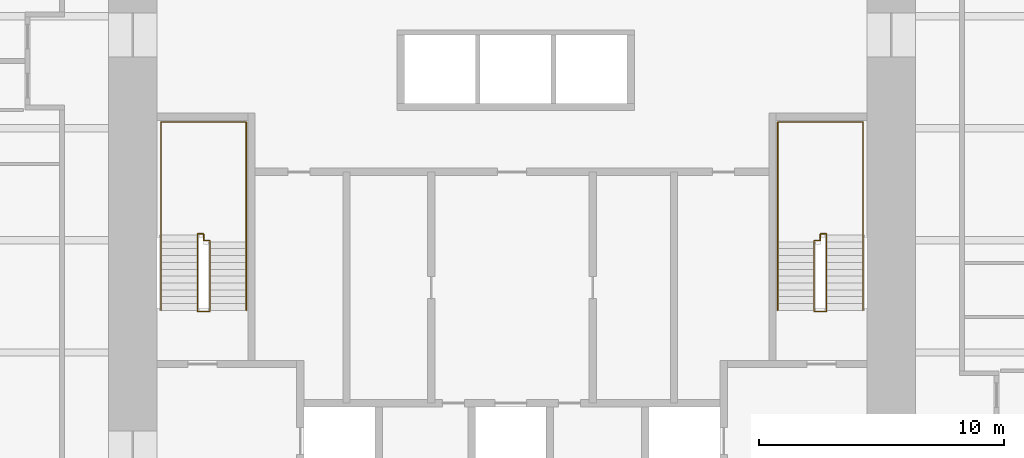
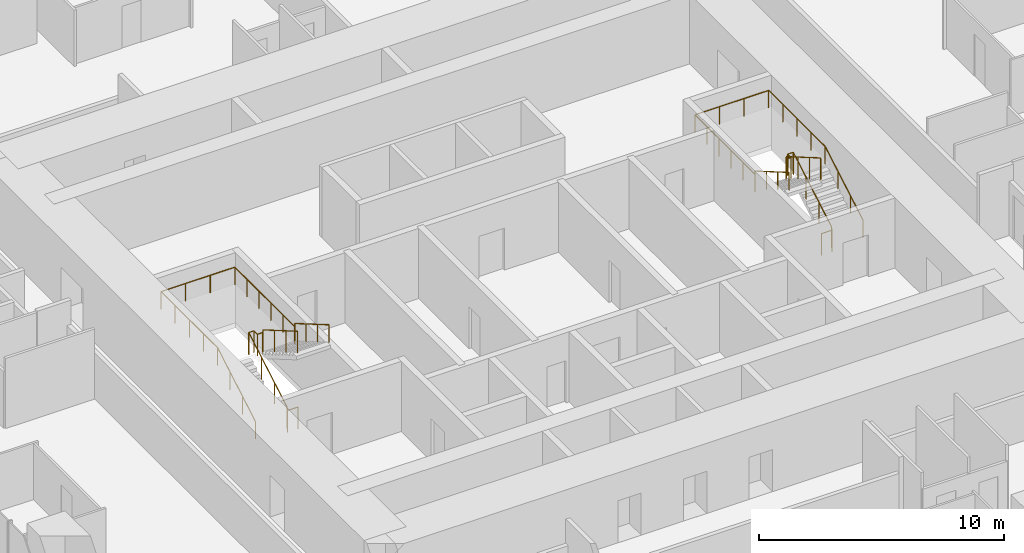
# One storey, part 12 of 12: 4 railings.
"""IFC4 building model written with IfcOpenShell, lengths in metres."""

from ifc_helpers import new_model, si_unit, direction, frame, origin, origin_2d, place, context, subcontext, project, spatial, circle, extrude, material, type_object, element, save


model = new_model("IFC4")

# Units and contexts
model_context = context("Model", 3, precision=1e-05, world=origin(), true_north=direction((0.0, 1.0)))
body_context = subcontext(model_context, "Body", "Model", "MODEL_VIEW")
ifc_project = project(units=[si_unit("LENGTHUNIT", "METRE"), si_unit("AREAUNIT", "SQUARE_METRE"), si_unit("VOLUMEUNIT", "CUBIC_METRE"), si_unit("PLANEANGLEUNIT", "RADIAN"), si_unit("MASSUNIT", "GRAM", prefix="KILO")], contexts=[model_context])

# Site, building, storey
site_placement = place(None, origin())
site = spatial("IfcSite", under=ifc_project, at=site_placement, CompositionType="ELEMENT")
building_placement = place(site_placement, origin())
building = spatial("IfcBuilding", under=site, at=building_placement, Name="Khuree Lantern Residences", CompositionType="ELEMENT")
storey_placement = place(building_placement, frame((0.0, 0.0, 167.25)))
storey = spatial("IfcBuildingStorey", under=building, at=storey_placement, Name="L42", CompositionType="ELEMENT", Elevation=167.25)

# Railings
ifc_material = material(Name="Steel S355", Category="steel")
railing_type_1 = type_object("IfcRailingType", Name="STAIR GUARD G1 1100", PredefinedType="GUARDRAIL", material=ifc_material)
railing_1_placement = place(storey_placement, frame((-12.35009765625, -2.909912109375, 0.0)))
element("IfcRailing", 1, at=railing_1_placement, inside=storey, type_object=railing_type_1, Name="Stair ST1 guard", PredefinedType="GUARDRAIL", context=body_context, shape_type="SweptSolid", body=[
    extrude(circle(Radius=0.02392578125, at=origin_2d()), frame((0.0, 0.0, 1.076171875), z_axis=(-1.0, 0.0, 0.0), x_axis=(0.0, -1.0, 0.0)), (0.0, 0.0, 1.0), 0.5),
    extrude(circle(Radius=0.02392578125, at=origin_2d()), frame((-0.5, 0.0, 1.076171875), z_axis=(0.0, 0.292073035251, 0.95639601739), x_axis=(-1.0, 0.0, 0.0)), (0.0, 0.0, 1.0), 0.17041015625),
    extrude(circle(Radius=0.02392578125, at=origin_2d()), frame((-0.5, 0.0498046875, 1.2392578125), z_axis=(0.0, 0.864176135923, 0.503189433615), x_axis=(-1.0, 0.0, 0.0)), (0.0, 0.0, 1.0), 3.564208984375),
    extrude(circle(Radius=0.02392578125, at=origin_2d()), frame((-0.5, 3.1298828125, 3.03271484375), z_axis=(0.0, 1.0, 0.0), x_axis=(-1.0, 0.0, 0.0)), (0.0, 0.0, 1.0), 0.050048828125),
    extrude(circle(Radius=0.02392578125, at=origin_2d()), frame((-0.5, 3.179931640625, 3.03271484375), z_axis=(1.0, 0.0, 0.0), x_axis=(0.0, 1.0, 0.0)), (0.0, 0.0, 1.0), 0.25),
    extrude(circle(Radius=0.02392578125, at=origin_2d()), frame((-0.25, 3.179931640625, 3.03271484375), z_axis=(0.0, -1.0, 0.0), x_axis=(1.0, 0.0, 0.0)), (0.0, 0.0, 1.0), 0.280029296875),
    extrude(circle(Radius=0.02392578125, at=origin_2d()), frame((-0.25, 2.89990234375, 3.03271484375), z_axis=(1.0, 0.0, 0.0), x_axis=(0.0, 1.0, 0.0)), (0.0, 0.0, 1.0), 0.25),
    extrude(circle(Radius=0.02392578125, at=origin_2d()), frame((0.0, 2.89990234375, 3.03271484375), z_axis=(0.0, -0.293381807449, 0.955995353053), x_axis=(1.0, 0.0, 0.0)), (0.0, 0.0, 1.0), 0.170654296875),
    extrude(circle(Radius=0.02392578125, at=origin_2d()), frame((0.0, 2.849853515625, 3.19580078125), z_axis=(0.0, -0.864180358799, 0.503182181189), x_axis=(1.0, 0.0, 0.0)), (0.0, 0.0, 1.0), 3.240234375),
    extrude(circle(Radius=0.02099609375, at=origin_2d()), origin(), (0.0, 0.0, 1.0), 1.052001953125),
    extrude(circle(Radius=0.02099609375, at=origin_2d()), frame((-0.5, 0.0, 0.0)), (0.0, 0.0, 1.0), 1.052001953125),
    extrude(circle(Radius=0.02099609375, at=origin_2d()), frame((-0.5, 0.0498046875, 0.1630859375)), (0.0, 0.0, 1.0), 1.052001953125),
    extrude(circle(Radius=0.02099609375, at=origin_2d()), frame((-0.5, 1.076416015625, 0.760986328125)), (0.0, 0.0, 1.0), 1.052001953125),
    extrude(circle(Radius=0.02099609375, at=origin_2d()), frame((-0.5, 2.103271484375, 1.358642578125)), (0.0, 0.0, 1.0), 1.052001953125),
    extrude(circle(Radius=0.02099609375, at=origin_2d()), frame((-0.5, 3.1298828125, 1.95654296875)), (0.0, 0.0, 1.0), 1.052001953125),
    extrude(circle(Radius=0.02099609375, at=origin_2d()), frame((-0.5, 3.179931640625, 1.95654296875)), (0.0, 0.0, 1.0), 1.052001953125),
    extrude(circle(Radius=0.02099609375, at=origin_2d()), frame((-0.25, 3.179931640625, 1.95654296875)), (0.0, 0.0, 1.0), 1.052001953125),
    extrude(circle(Radius=0.02099609375, at=origin_2d()), frame((-0.25, 2.89990234375, 1.95654296875)), (0.0, 0.0, 1.0), 1.052001953125),
    extrude(circle(Radius=0.02099609375, at=origin_2d()), frame((0.0, 2.89990234375, 1.95654296875)), (0.0, 0.0, 1.0), 1.052001953125),
    extrude(circle(Radius=0.02099609375, at=origin_2d()), frame((0.0, 2.849853515625, 2.11962890625)), (0.0, 0.0, 1.0), 1.052001953125),
    extrude(circle(Radius=0.02099609375, at=origin_2d()), frame((0.0, 1.91650390625, 2.6630859375)), (0.0, 0.0, 1.0), 1.052001953125),
    extrude(circle(Radius=0.02099609375, at=origin_2d()), frame((0.0, 0.983154296875, 3.20654296875)), (0.0, 0.0, 1.0), 1.052001953125),
    extrude(circle(Radius=0.02099609375, at=origin_2d()), frame((0.0, 0.0498046875, 3.75)), (0.0, 0.0, 1.0), 1.052001953125),
])
railing_2_placement = place(storey_placement, frame((12.35009765625, -2.909912109375, 0.0)))
element("IfcRailing", 2, at=railing_2_placement, inside=storey, type_object=railing_type_1, Name="Stair ST2 guard", PredefinedType="GUARDRAIL", context=body_context, shape_type="SweptSolid", body=[
    extrude(circle(Radius=0.02392578125, at=origin_2d()), frame((0.0, 0.0, 1.076171875), z_axis=(1.0, 0.0, 0.0), x_axis=(0.0, 1.0, 0.0)), (0.0, 0.0, 1.0), 0.5),
    extrude(circle(Radius=0.02392578125, at=origin_2d()), frame((0.5, 0.0, 1.076171875), z_axis=(0.0, 0.292073035251, 0.95639601739), x_axis=(-1.0, 0.0, 0.0)), (0.0, 0.0, 1.0), 0.17041015625),
    extrude(circle(Radius=0.02392578125, at=origin_2d()), frame((0.5, 0.0498046875, 1.2392578125), z_axis=(0.0, 0.864176135923, 0.503189433615), x_axis=(-1.0, 0.0, 0.0)), (0.0, 0.0, 1.0), 3.564208984375),
    extrude(circle(Radius=0.02392578125, at=origin_2d()), frame((0.5, 3.1298828125, 3.03271484375), z_axis=(0.0, 1.0, 0.0), x_axis=(-1.0, 0.0, 0.0)), (0.0, 0.0, 1.0), 0.050048828125),
    extrude(circle(Radius=0.02392578125, at=origin_2d()), frame((0.5, 3.179931640625, 3.03271484375), z_axis=(-1.0, 0.0, 0.0), x_axis=(0.0, -1.0, 0.0)), (0.0, 0.0, 1.0), 0.25),
    extrude(circle(Radius=0.02392578125, at=origin_2d()), frame((0.25, 3.179931640625, 3.03271484375), z_axis=(0.0, -1.0, 0.0), x_axis=(1.0, 0.0, 0.0)), (0.0, 0.0, 1.0), 0.280029296875),
    extrude(circle(Radius=0.02392578125, at=origin_2d()), frame((0.25, 2.89990234375, 3.03271484375), z_axis=(-1.0, 0.0, 0.0), x_axis=(0.0, -1.0, 0.0)), (0.0, 0.0, 1.0), 0.25),
    extrude(circle(Radius=0.02392578125, at=origin_2d()), frame((0.0, 2.89990234375, 3.03271484375), z_axis=(0.0, -0.293381807449, 0.955995353053), x_axis=(1.0, 0.0, 0.0)), (0.0, 0.0, 1.0), 0.170654296875),
    extrude(circle(Radius=0.02392578125, at=origin_2d()), frame((0.0, 2.849853515625, 3.19580078125), z_axis=(0.0, -0.864180358799, 0.503182181189), x_axis=(1.0, 0.0, 0.0)), (0.0, 0.0, 1.0), 3.240234375),
    extrude(circle(Radius=0.02099609375, at=origin_2d()), origin(), (0.0, 0.0, 1.0), 1.052001953125),
    extrude(circle(Radius=0.02099609375, at=origin_2d()), frame((0.5, 0.0, 0.0)), (0.0, 0.0, 1.0), 1.052001953125),
    extrude(circle(Radius=0.02099609375, at=origin_2d()), frame((0.5, 0.0498046875, 0.1630859375)), (0.0, 0.0, 1.0), 1.052001953125),
    extrude(circle(Radius=0.02099609375, at=origin_2d()), frame((0.5, 1.076416015625, 0.760986328125)), (0.0, 0.0, 1.0), 1.052001953125),
    extrude(circle(Radius=0.02099609375, at=origin_2d()), frame((0.5, 2.103271484375, 1.358642578125)), (0.0, 0.0, 1.0), 1.052001953125),
    extrude(circle(Radius=0.02099609375, at=origin_2d()), frame((0.5, 3.1298828125, 1.95654296875)), (0.0, 0.0, 1.0), 1.052001953125),
    extrude(circle(Radius=0.02099609375, at=origin_2d()), frame((0.5, 3.179931640625, 1.95654296875)), (0.0, 0.0, 1.0), 1.052001953125),
    extrude(circle(Radius=0.02099609375, at=origin_2d()), frame((0.25, 3.179931640625, 1.95654296875)), (0.0, 0.0, 1.0), 1.052001953125),
    extrude(circle(Radius=0.02099609375, at=origin_2d()), frame((0.25, 2.89990234375, 1.95654296875)), (0.0, 0.0, 1.0), 1.052001953125),
    extrude(circle(Radius=0.02099609375, at=origin_2d()), frame((0.0, 2.89990234375, 1.95654296875)), (0.0, 0.0, 1.0), 1.052001953125),
    extrude(circle(Radius=0.02099609375, at=origin_2d()), frame((0.0, 2.849853515625, 2.11962890625)), (0.0, 0.0, 1.0), 1.052001953125),
    extrude(circle(Radius=0.02099609375, at=origin_2d()), frame((0.0, 1.91650390625, 2.6630859375)), (0.0, 0.0, 1.0), 1.052001953125),
    extrude(circle(Radius=0.02099609375, at=origin_2d()), frame((0.0, 0.983154296875, 3.20654296875)), (0.0, 0.0, 1.0), 1.052001953125),
    extrude(circle(Radius=0.02099609375, at=origin_2d()), frame((0.0, 0.0498046875, 3.75)), (0.0, 0.0, 1.0), 1.052001953125),
])
railing_type_2 = type_object("IfcRailingType", Name="STAIR HANDRAIL H1 900", PredefinedType="HANDRAIL", material=ifc_material)
railing_3_placement = place(storey_placement, frame((-14.340087890625, -2.860107421875, 0.1630859375)))
element("IfcRailing", 3, at=railing_3_placement, inside=storey, type_object=railing_type_2, Name="Stair ST1 handrail", PredefinedType="HANDRAIL", context=body_context, shape_type="SweptSolid", body=[
    extrude(circle(Radius=0.02392578125, at=origin_2d()), frame((0.0, 0.0, 0.8759765625), z_axis=(0.0, 0.864176135923, 0.503189433615), x_axis=(-1.0, 0.0, 0.0)), (0.0, 0.0, 1.0), 3.564208984375),
    extrude(circle(Radius=0.02392578125, at=origin_2d()), frame((0.0, 3.080078125, 2.66943359375), z_axis=(0.0, 1.0, 0.0), x_axis=(-1.0, 0.0, 0.0)), (0.0, 0.0, 1.0), 4.6201171875),
    extrude(circle(Radius=0.02392578125, at=origin_2d()), frame((0.0, 7.7001953125, 2.66943359375), z_axis=(1.0, 0.0, 0.0), x_axis=(0.0, 1.0, 0.0)), (0.0, 0.0, 1.0), 3.47998046875),
    extrude(circle(Radius=0.02392578125, at=origin_2d()), frame((3.47998046875, 7.7001953125, 2.66943359375), z_axis=(0.0, -1.0, 0.0), x_axis=(1.0, 0.0, 0.0)), (0.0, 0.0, 1.0), 4.900146484375),
    extrude(circle(Radius=0.02392578125, at=origin_2d()), frame((3.47998046875, 2.800048828125, 2.66943359375), z_axis=(0.0, 0.0, 1.0), x_axis=(1.0, 0.0, 0.0)), (0.0, 0.0, 1.0), 0.1630859375),
    extrude(circle(Radius=0.02392578125, at=origin_2d()), frame((3.47998046875, 2.800048828125, 2.83251953125), z_axis=(0.0, -0.864180358799, 0.503182181189), x_axis=(1.0, 0.0, 0.0)), (0.0, 0.0, 1.0), 3.240234375),
    extrude(circle(Radius=0.02099609375, at=origin_2d()), origin(), (0.0, 0.0, 1.0), 0.851806640625),
    extrude(circle(Radius=0.02099609375, at=origin_2d()), frame((0.0, 1.026611328125, 0.597900390625)), (0.0, 0.0, 1.0), 0.851806640625),
    extrude(circle(Radius=0.02099609375, at=origin_2d()), frame((0.0, 2.053466796875, 1.195556640625)), (0.0, 0.0, 1.0), 0.851806640625),
    extrude(circle(Radius=0.02099609375, at=origin_2d()), frame((0.0, 3.080078125, 1.79345703125)), (0.0, 0.0, 1.0), 0.851806640625),
    extrude(circle(Radius=0.02099609375, at=origin_2d()), frame((0.0, 4.235107421875, 1.79345703125)), (0.0, 0.0, 1.0), 0.851806640625),
    extrude(circle(Radius=0.02099609375, at=origin_2d()), frame((0.0, 5.39013671875, 1.79345703125)), (0.0, 0.0, 1.0), 0.851806640625),
    extrude(circle(Radius=0.02099609375, at=origin_2d()), frame((0.0, 6.545166015625, 1.79345703125)), (0.0, 0.0, 1.0), 0.851806640625),
    extrude(circle(Radius=0.02099609375, at=origin_2d()), frame((0.0, 7.7001953125, 1.79345703125)), (0.0, 0.0, 1.0), 0.851806640625),
    extrude(circle(Radius=0.02099609375, at=origin_2d()), frame((1.159912109375, 7.7001953125, 1.79345703125)), (0.0, 0.0, 1.0), 0.851806640625),
    extrude(circle(Radius=0.02099609375, at=origin_2d()), frame((2.320068359375, 7.7001953125, 1.79345703125)), (0.0, 0.0, 1.0), 0.851806640625),
    extrude(circle(Radius=0.02099609375, at=origin_2d()), frame((3.47998046875, 7.7001953125, 1.79345703125)), (0.0, 0.0, 1.0), 0.851806640625),
    extrude(circle(Radius=0.02099609375, at=origin_2d()), frame((3.47998046875, 6.72021484375, 1.79345703125)), (0.0, 0.0, 1.0), 0.851806640625),
    extrude(circle(Radius=0.02099609375, at=origin_2d()), frame((3.47998046875, 5.740234375, 1.79345703125)), (0.0, 0.0, 1.0), 0.851806640625),
    extrude(circle(Radius=0.02099609375, at=origin_2d()), frame((3.47998046875, 4.760009765625, 1.79345703125)), (0.0, 0.0, 1.0), 0.851806640625),
    extrude(circle(Radius=0.02099609375, at=origin_2d()), frame((3.47998046875, 3.780029296875, 1.79345703125)), (0.0, 0.0, 1.0), 0.851806640625),
    extrude(circle(Radius=0.02099609375, at=origin_2d()), frame((3.47998046875, 2.800048828125, 1.79345703125)), (0.0, 0.0, 1.0), 0.851806640625),
    extrude(circle(Radius=0.02099609375, at=origin_2d()), frame((3.47998046875, 2.800048828125, 1.95654296875)), (0.0, 0.0, 1.0), 0.851806640625),
    extrude(circle(Radius=0.02099609375, at=origin_2d()), frame((3.47998046875, 1.86669921875, 2.5)), (0.0, 0.0, 1.0), 0.851806640625),
    extrude(circle(Radius=0.02099609375, at=origin_2d()), frame((3.47998046875, 0.933349609375, 3.04345703125)), (0.0, 0.0, 1.0), 0.851806640625),
    extrude(circle(Radius=0.02099609375, at=origin_2d()), frame((3.47998046875, 0.0, 3.5869140625)), (0.0, 0.0, 1.0), 0.851806640625),
])
railing_4_placement = place(storey_placement, frame((14.340087890625, -2.860107421875, 0.1630859375)))
element("IfcRailing", 4, at=railing_4_placement, inside=storey, type_object=railing_type_2, Name="Stair ST2 handrail", PredefinedType="HANDRAIL", context=body_context, shape_type="SweptSolid", body=[
    extrude(circle(Radius=0.02392578125, at=origin_2d()), frame((0.0, 0.0, 0.8759765625), z_axis=(0.0, 0.864176135923, 0.503189433615), x_axis=(-1.0, 0.0, 0.0)), (0.0, 0.0, 1.0), 3.564208984375),
    extrude(circle(Radius=0.02392578125, at=origin_2d()), frame((0.0, 3.080078125, 2.66943359375), z_axis=(0.0, 1.0, 0.0), x_axis=(-1.0, 0.0, 0.0)), (0.0, 0.0, 1.0), 4.6201171875),
    extrude(circle(Radius=0.02392578125, at=origin_2d()), frame((0.0, 7.7001953125, 2.66943359375), z_axis=(-1.0, 0.0, 0.0), x_axis=(0.0, -1.0, 0.0)), (0.0, 0.0, 1.0), 3.47998046875),
    extrude(circle(Radius=0.02392578125, at=origin_2d()), frame((-3.47998046875, 7.7001953125, 2.66943359375), z_axis=(0.0, -1.0, 0.0), x_axis=(1.0, 0.0, 0.0)), (0.0, 0.0, 1.0), 4.900146484375),
    extrude(circle(Radius=0.02392578125, at=origin_2d()), frame((-3.47998046875, 2.800048828125, 2.66943359375), z_axis=(0.0, 0.0, 1.0), x_axis=(1.0, 0.0, 0.0)), (0.0, 0.0, 1.0), 0.1630859375),
    extrude(circle(Radius=0.02392578125, at=origin_2d()), frame((-3.47998046875, 2.800048828125, 2.83251953125), z_axis=(0.0, -0.864180358799, 0.503182181189), x_axis=(1.0, 0.0, 0.0)), (0.0, 0.0, 1.0), 3.240234375),
    extrude(circle(Radius=0.02099609375, at=origin_2d()), origin(), (0.0, 0.0, 1.0), 0.851806640625),
    extrude(circle(Radius=0.02099609375, at=origin_2d()), frame((0.0, 1.026611328125, 0.597900390625)), (0.0, 0.0, 1.0), 0.851806640625),
    extrude(circle(Radius=0.02099609375, at=origin_2d()), frame((0.0, 2.053466796875, 1.195556640625)), (0.0, 0.0, 1.0), 0.851806640625),
    extrude(circle(Radius=0.02099609375, at=origin_2d()), frame((0.0, 3.080078125, 1.79345703125)), (0.0, 0.0, 1.0), 0.851806640625),
    extrude(circle(Radius=0.02099609375, at=origin_2d()), frame((0.0, 4.235107421875, 1.79345703125)), (0.0, 0.0, 1.0), 0.851806640625),
    extrude(circle(Radius=0.02099609375, at=origin_2d()), frame((0.0, 5.39013671875, 1.79345703125)), (0.0, 0.0, 1.0), 0.851806640625),
    extrude(circle(Radius=0.02099609375, at=origin_2d()), frame((0.0, 6.545166015625, 1.79345703125)), (0.0, 0.0, 1.0), 0.851806640625),
    extrude(circle(Radius=0.02099609375, at=origin_2d()), frame((0.0, 7.7001953125, 1.79345703125)), (0.0, 0.0, 1.0), 0.851806640625),
    extrude(circle(Radius=0.02099609375, at=origin_2d()), frame((-1.159912109375, 7.7001953125, 1.79345703125)), (0.0, 0.0, 1.0), 0.851806640625),
    extrude(circle(Radius=0.02099609375, at=origin_2d()), frame((-2.320068359375, 7.7001953125, 1.79345703125)), (0.0, 0.0, 1.0), 0.851806640625),
    extrude(circle(Radius=0.02099609375, at=origin_2d()), frame((-3.47998046875, 7.7001953125, 1.79345703125)), (0.0, 0.0, 1.0), 0.851806640625),
    extrude(circle(Radius=0.02099609375, at=origin_2d()), frame((-3.47998046875, 6.72021484375, 1.79345703125)), (0.0, 0.0, 1.0), 0.851806640625),
    extrude(circle(Radius=0.02099609375, at=origin_2d()), frame((-3.47998046875, 5.740234375, 1.79345703125)), (0.0, 0.0, 1.0), 0.851806640625),
    extrude(circle(Radius=0.02099609375, at=origin_2d()), frame((-3.47998046875, 4.760009765625, 1.79345703125)), (0.0, 0.0, 1.0), 0.851806640625),
    extrude(circle(Radius=0.02099609375, at=origin_2d()), frame((-3.47998046875, 3.780029296875, 1.79345703125)), (0.0, 0.0, 1.0), 0.851806640625),
    extrude(circle(Radius=0.02099609375, at=origin_2d()), frame((-3.47998046875, 2.800048828125, 1.79345703125)), (0.0, 0.0, 1.0), 0.851806640625),
    extrude(circle(Radius=0.02099609375, at=origin_2d()), frame((-3.47998046875, 2.800048828125, 1.95654296875)), (0.0, 0.0, 1.0), 0.851806640625),
    extrude(circle(Radius=0.02099609375, at=origin_2d()), frame((-3.47998046875, 1.86669921875, 2.5)), (0.0, 0.0, 1.0), 0.851806640625),
    extrude(circle(Radius=0.02099609375, at=origin_2d()), frame((-3.47998046875, 0.933349609375, 3.04345703125)), (0.0, 0.0, 1.0), 0.851806640625),
    extrude(circle(Radius=0.02099609375, at=origin_2d()), frame((-3.47998046875, 0.0, 3.5869140625)), (0.0, 0.0, 1.0), 0.851806640625),
])

save(model, "model.ifc")
